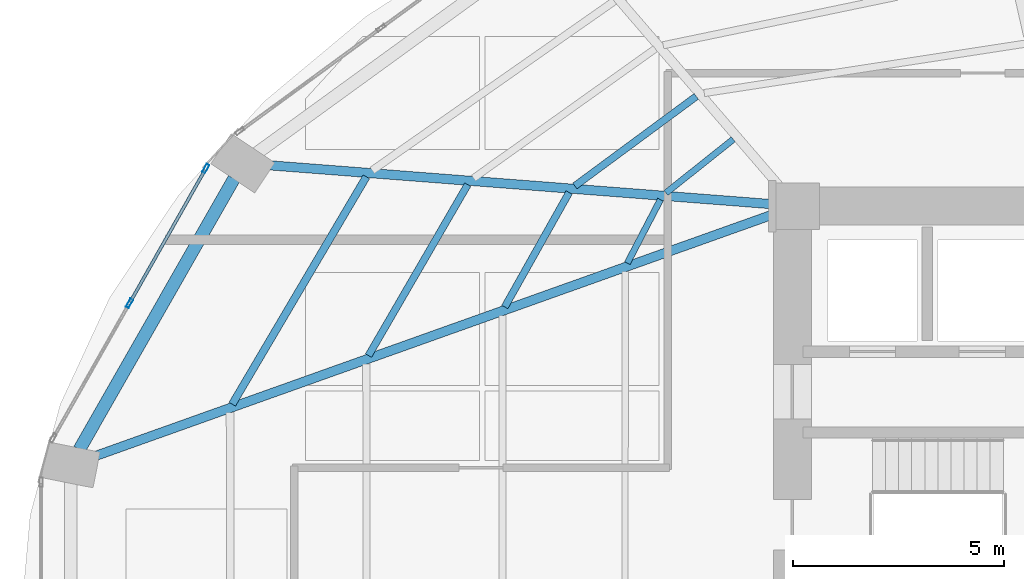
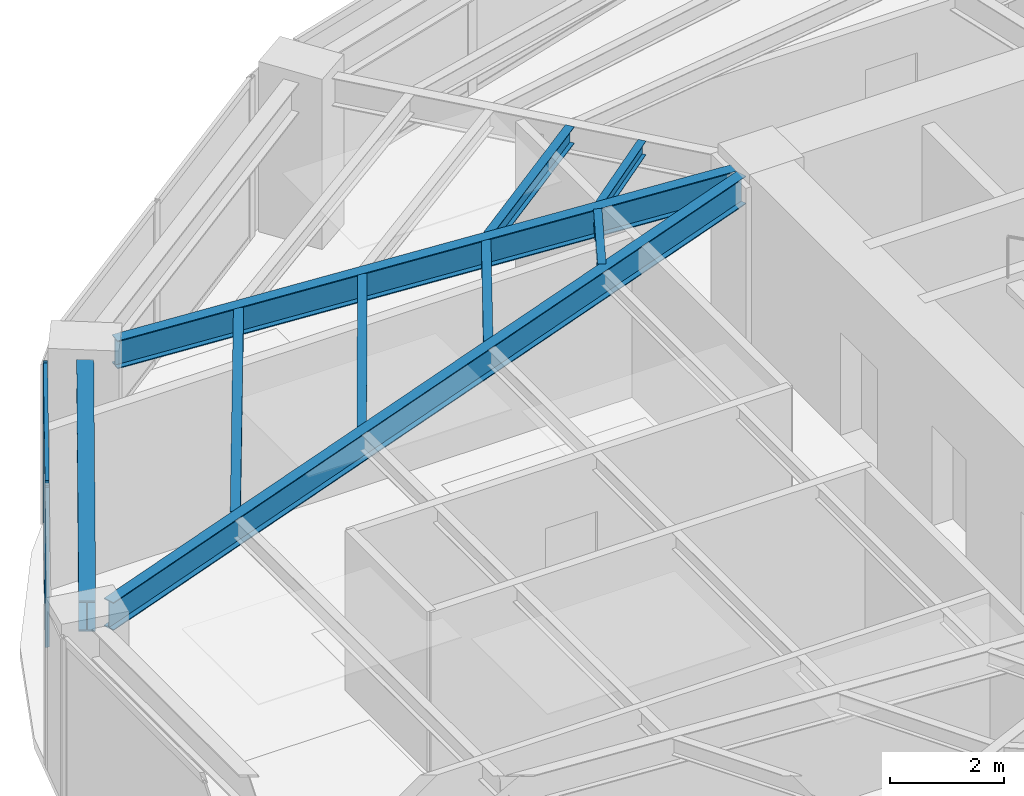
# One storey, part 8 of 24: 9 beams, 4 members, 1 element without a shape of its own.
"""IFC4 building model written with IfcOpenShell, lengths in metres."""

from ifc_helpers import new_model, si_unit, direction, frame, origin, origin_2d, place, context, subcontext, project, spatial, hollow_rectangle, i_section, extrude, material, layer, layer_set, material_profile, profile_set, type_object, element, aggregate, save


model = new_model("IFC4")

# Units and contexts
model_context = context("Model", 3, precision=1e-05, world=origin(), true_north=direction((0.0, 1.0)))
body_context = subcontext(model_context, "Body", "Model", "MODEL_VIEW")
ifc_project = project(units=[si_unit("LENGTHUNIT", "METRE"), si_unit("AREAUNIT", "SQUARE_METRE"), si_unit("VOLUMEUNIT", "CUBIC_METRE"), si_unit("PLANEANGLEUNIT", "RADIAN"), si_unit("MASSUNIT", "GRAM", prefix="KILO")], contexts=[model_context])

# Site, building, storey
site_placement = place(None, origin())
site = spatial("IfcSite", under=ifc_project, at=site_placement, CompositionType="ELEMENT")
building_placement = place(site_placement, origin())
building = spatial("IfcBuilding", under=site, at=building_placement, Name="Lazwardi Medical Tower", CompositionType="ELEMENT")
storey_placement = place(building_placement, frame((0.0, 0.0, 65.327880859375)))
storey = spatial("IfcBuildingStorey", under=building, at=storey_placement, Name="L16", CompositionType="ELEMENT", Elevation=65.327880859375)

# Beams
ifc_material_1 = material(Name="Steel S355", Category="steel")
ifc_material_profile_1 = material_profile(ifc_material_1, i_section(OverallWidth=0.300048828125, OverallDepth=0.64990234375, WebThickness=0.01611328125, FlangeThickness=0.031005859375, at=origin_2d()), Name="HEB 650")
ifc_profile_set_1 = profile_set([ifc_material_profile_1], Name="Steel S355")
beam_type_1 = type_object("IfcBeamType", Name="BM-RB-Z1", PredefinedType="BEAM", material=ifc_profile_set_1)
beam_1_placement = place(storey_placement, frame((13.072021484375, 36.24951171875, 3.10302734375), z_axis=(-0.495829348644, -0.868419977328, 0.0), x_axis=(0.868419977328, -0.495829348644, 0.0)))
element("IfcBeam", 1, at=beam_1_placement, inside=storey, type_object=beam_type_1, Name="Ring beam RB-02 B11 L16", PredefinedType="BEAM", context=body_context, shape_type="SweptSolid", body=[
    extrude(i_section(OverallWidth=0.300048828125, OverallDepth=0.64990234375, WebThickness=0.01611328125, FlangeThickness=0.031005859375, at=origin_2d()), origin(), (0.0, 0.0, 1.0), 7.38916015625),
])
ifc_material_profile_2 = material_profile(ifc_material_1, i_section(OverallWidth=0.219970703125, OverallDepth=0.60009765625, WebThickness=0.011962890625, FlangeThickness=0.01904296875, at=origin_2d()), Name="IPE 600")
ifc_profile_set_2 = profile_set([ifc_material_profile_2], Name="Steel S355")
beam_type_2 = type_object("IfcBeamType", Name="BM-RG-W1", PredefinedType="BEAM", material=ifc_profile_set_2)
beam_2_placement = place(storey_placement, frame((13.8583984375, 36.569580078125, 3.128173828125), z_axis=(0.997024241118, -0.077088667283, 0.0), x_axis=(0.077088667283, 0.997024241118, 0.0)))
element("IfcBeam", 2, at=beam_2_placement, inside=storey, type_object=beam_type_2, Name="Radial girder RG-02 R11 L16", PredefinedType="BEAM", context=body_context, shape_type="SweptSolid", body=[
    extrude(i_section(OverallWidth=0.219970703125, OverallDepth=0.60009765625, WebThickness=0.011962890625, FlangeThickness=0.01904296875, at=origin_2d()), origin(), (0.0, 0.0, 1.0), 12.044189453125),
])
beam_3_placement = place(storey_placement, frame((9.746337890625, 29.66259765625, 3.128173828125), z_axis=(0.941925080425, 0.335823082688, 0.0), x_axis=(-0.335823082688, 0.941925080425, 0.0)))
element("IfcBeam", 3, at=beam_3_placement, inside=storey, type_object=beam_type_2, Name="Radial girder RG-02 R12 L16", PredefinedType="BEAM", context=body_context, shape_type="SweptSolid", body=[
    extrude(i_section(OverallWidth=0.219970703125, OverallDepth=0.60009765625, WebThickness=0.011962890625, FlangeThickness=0.01904296875, at=origin_2d()), origin(), (0.0, 0.0, 1.0), 17.145263671875),
])
ifc_material_profile_3 = material_profile(ifc_material_1, i_section(OverallWidth=0.179931640625, OverallDepth=0.39990234375, WebThickness=0.008544921875, FlangeThickness=0.013427734375, at=origin_2d()), Name="IPE 400")
ifc_profile_set_3 = profile_set([ifc_material_profile_3], Name="Steel S355")
beam_type_3 = type_object("IfcBeamType", Name="BM-SJ-01", PredefinedType="JOIST", material=ifc_profile_set_3)
beam_4_placement = place(storey_placement, frame((16.206787109375, 36.29345703125, 3.22802734375), z_axis=(-0.507886270937, -0.861424132349, 0.0), x_axis=(0.861424132349, -0.507886270937, 0.0)))
element("IfcBeam", 4, at=beam_4_placement, inside=storey, type_object=beam_type_3, Name="Secondary joist SJ-01 R1 B11 L16", PredefinedType="JOIST", context=body_context, shape_type="SweptSolid", body=[
    extrude(i_section(OverallWidth=0.179931640625, OverallDepth=0.39990234375, WebThickness=0.008544921875, FlangeThickness=0.013427734375, at=origin_2d()), origin(), (0.0, 0.0, 1.0), 6.255859375),
])
ifc_material_profile_4 = material_profile(ifc_material_1, i_section(OverallWidth=0.169921875, OverallDepth=0.360107421875, WebThickness=0.008056640625, FlangeThickness=0.0126953125, at=origin_2d()), Name="IPE 360")
ifc_profile_set_4 = profile_set([ifc_material_profile_4], Name="Steel S355")
beam_type_4 = type_object("IfcBeamType", Name="BM-SJ-02", PredefinedType="JOIST", material=ifc_profile_set_4)
beam_5_placement = place(storey_placement, frame((18.60888671875, 36.107421875, 3.248046875), z_axis=(-0.501798442848, -0.86498457949, 0.0), x_axis=(0.86498457949, -0.501798442848, 0.0)))
element("IfcBeam", 5, at=beam_5_placement, inside=storey, type_object=beam_type_4, Name="Secondary joist SJ-02 R2 B11 L16", PredefinedType="JOIST", context=body_context, shape_type="SweptSolid", body=[
    extrude(i_section(OverallWidth=0.169921875, OverallDepth=0.360107421875, WebThickness=0.008056640625, FlangeThickness=0.0126953125, at=origin_2d()), origin(), (0.0, 0.0, 1.0), 4.683349609375),
])
beam_6_placement = place(storey_placement, frame((24.025146484375, 38.19873046875, 3.248046875), z_axis=(-0.804580292353, -0.593843879448, 0.0), x_axis=(0.593843879448, -0.804580292353, 0.0)))
element("IfcBeam", 6, at=beam_6_placement, inside=storey, type_object=beam_type_4, Name="Secondary joist SJ-02 R3 B10 L16", PredefinedType="JOIST", context=body_context, shape_type="SweptSolid", body=[
    extrude(i_section(OverallWidth=0.169921875, OverallDepth=0.360107421875, WebThickness=0.008056640625, FlangeThickness=0.0126953125, at=origin_2d()), origin(), (0.0, 0.0, 1.0), 3.576416015625),
])
beam_7_placement = place(storey_placement, frame((21.011962890625, 35.9208984375, 3.248046875), z_axis=(-0.489974339037, -0.87173685656, 0.0), x_axis=(0.87173685656, -0.489974339037, 0.0)))
element("IfcBeam", 7, at=beam_7_placement, inside=storey, type_object=beam_type_4, Name="Secondary joist SJ-02 R3 B11 L16", PredefinedType="JOIST", context=body_context, shape_type="SweptSolid", body=[
    extrude(i_section(OverallWidth=0.169921875, OverallDepth=0.360107421875, WebThickness=0.008056640625, FlangeThickness=0.0126953125, at=origin_2d()), origin(), (0.0, 0.0, 1.0), 3.111328125),
])
ifc_material_profile_5 = material_profile(ifc_material_1, i_section(OverallWidth=0.14990234375, OverallDepth=0.300048828125, WebThickness=0.007080078125, FlangeThickness=0.0107421875, at=origin_2d()), Name="IPE 300")
ifc_profile_set_5 = profile_set([ifc_material_profile_5], Name="Steel S355")
beam_type_5 = type_object("IfcBeamType", Name="BM-SJ-03", PredefinedType="JOIST", material=ifc_profile_set_5)
beam_8_placement = place(storey_placement, frame((24.901123046875, 37.1806640625, 3.278076171875), z_axis=(-0.782210957226, -0.623013658274, 0.0), x_axis=(0.623013658274, -0.782210957226, 0.0)))
element("IfcBeam", 8, at=beam_8_placement, inside=storey, type_object=beam_type_5, Name="Secondary joist SJ-03 R4 B10 L16", PredefinedType="JOIST", context=body_context, shape_type="SweptSolid", body=[
    extrude(i_section(OverallWidth=0.14990234375, OverallDepth=0.300048828125, WebThickness=0.007080078125, FlangeThickness=0.0107421875, at=origin_2d()), origin(), (0.0, 0.0, 1.0), 2.0380859375),
])
beam_9_placement = place(storey_placement, frame((23.17626953125, 35.752197265625, 3.278076171875), z_axis=(-0.462162985948, -0.88679500135, 0.0), x_axis=(0.88679500135, -0.462162985948, 0.0)))
element("IfcBeam", 9, at=beam_9_placement, inside=storey, type_object=beam_type_5, Name="Secondary joist SJ-03 R4 B11 L16", PredefinedType="JOIST", context=body_context, shape_type="SweptSolid", body=[
    extrude(i_section(OverallWidth=0.14990234375, OverallDepth=0.300048828125, WebThickness=0.007080078125, FlangeThickness=0.0107421875, at=origin_2d()), origin(), (0.0, 0.0, 1.0), 1.69775390625),
])

# Curtain wall, members
ifc_material_2 = material(Name="Anodised bronze aluminium and solar control glazing", Category="aluminium")
ifc_layer = layer(ifc_material_2, 0.199951171875)
ifc_layer_set = layer_set([ifc_layer], Name="Anodised bronze aluminium and solar control glazing")
curtain_wall_type = type_object("IfcCurtainWallType", Name="CW-SYS-02", PredefinedType="NOTDEFINED", material=ifc_layer_set)
curtain_wall_placement = place(storey_placement, origin())
curtain_wall = element("IfcCurtainWall", 10, at=curtain_wall_placement, inside=storey, type_object=curtain_wall_type, Name="L16 Unitised bronze curtain wall CW-02", PredefinedType="NOTDEFINED")
ifc_material_3 = material(Name="Anodised bronze aluminium", Category="aluminium")
ifc_material_profile_6 = material_profile(ifc_material_3, hollow_rectangle(XDim=0.074951171875, YDim=0.219970703125, WallThickness=0.00390625, at=origin_2d()), Name="ALU-MULLION 220x75x4")
ifc_profile_set_6 = profile_set([ifc_material_profile_6], Name="Anodised bronze aluminium")
member_type_1 = type_object("IfcMemberType", Name="CW-MUL-01", PredefinedType="MULLION", material=ifc_profile_set_6)
member_1_placement = place(storey_placement, frame((12.4033203125, 36.488525390625, 0.0), z_axis=(0.0, 0.0, 1.0), x_axis=(0.870111838823, -0.492854327303, 0.0)))
member_1 = element("IfcMember", 11, at=member_1_placement, type_object=member_type_1, Name="CW-02 mullion 1", PredefinedType="MULLION", context=body_context, shape_type="SweptSolid", body=[
    extrude(hollow_rectangle(XDim=0.074951171875, YDim=0.219970703125, WallThickness=0.00390625, at=origin_2d()), origin(), (0.0, 0.0, 1.0), 3.42822265625),
])
member_2_placement = place(storey_placement, frame((10.5947265625, 33.29541015625, 0.0), z_axis=(0.0, 0.0, 1.0), x_axis=(0.870111838823, -0.492854327303, 0.0)))
member_2 = element("IfcMember", 12, at=member_2_placement, type_object=member_type_1, Name="CW-02 mullion 2", PredefinedType="MULLION", context=body_context, shape_type="SweptSolid", body=[
    extrude(hollow_rectangle(XDim=0.074951171875, YDim=0.219970703125, WallThickness=0.00390625, at=origin_2d()), origin(), (0.0, 0.0, 1.0), 3.42822265625),
])
ifc_material_profile_7 = material_profile(ifc_material_3, hollow_rectangle(XDim=0.074951171875, YDim=0.159912109375, WallThickness=0.00390625, at=origin_2d()), Name="ALU-TRANSOM 160x75x4")
ifc_profile_set_7 = profile_set([ifc_material_profile_7], Name="Anodised bronze aluminium")
member_type_2 = type_object("IfcMemberType", Name="CW-TRN-01", PredefinedType="USERDEFINED", material=ifc_profile_set_7)
member_3_placement = place(storey_placement, frame((12.384765625, 36.4560546875, 0.03759765625), z_axis=(-0.49285148925, -0.870113446365, 0.0), x_axis=(0.870113446365, -0.49285148925, 0.0)))
member_3 = element("IfcMember", 13, at=member_3_placement, type_object=member_type_2, Name="CW-02 transom 1.1", ObjectType="TRANSOM", PredefinedType="USERDEFINED", context=body_context, shape_type="SweptSolid", body=[
    extrude(hollow_rectangle(XDim=0.074951171875, YDim=0.159912109375, WallThickness=0.00390625, at=origin_2d()), origin(), (0.0, 0.0, 1.0), 3.594970703125),
])
member_4_placement = place(storey_placement, frame((12.384765625, 36.4560546875, 3.390625), z_axis=(-0.49285148925, -0.870113446365, 0.0), x_axis=(0.870113446365, -0.49285148925, 0.0)))
member_4 = element("IfcMember", 14, at=member_4_placement, type_object=member_type_2, Name="CW-02 transom 1.2", ObjectType="TRANSOM", PredefinedType="USERDEFINED", context=body_context, shape_type="SweptSolid", body=[
    extrude(hollow_rectangle(XDim=0.074951171875, YDim=0.159912109375, WallThickness=0.00390625, at=origin_2d()), origin(), (0.0, 0.0, 1.0), 3.594970703125),
])
aggregate(curtain_wall, [member_1, member_2, member_3, member_4])

save(model, "model.ifc")
